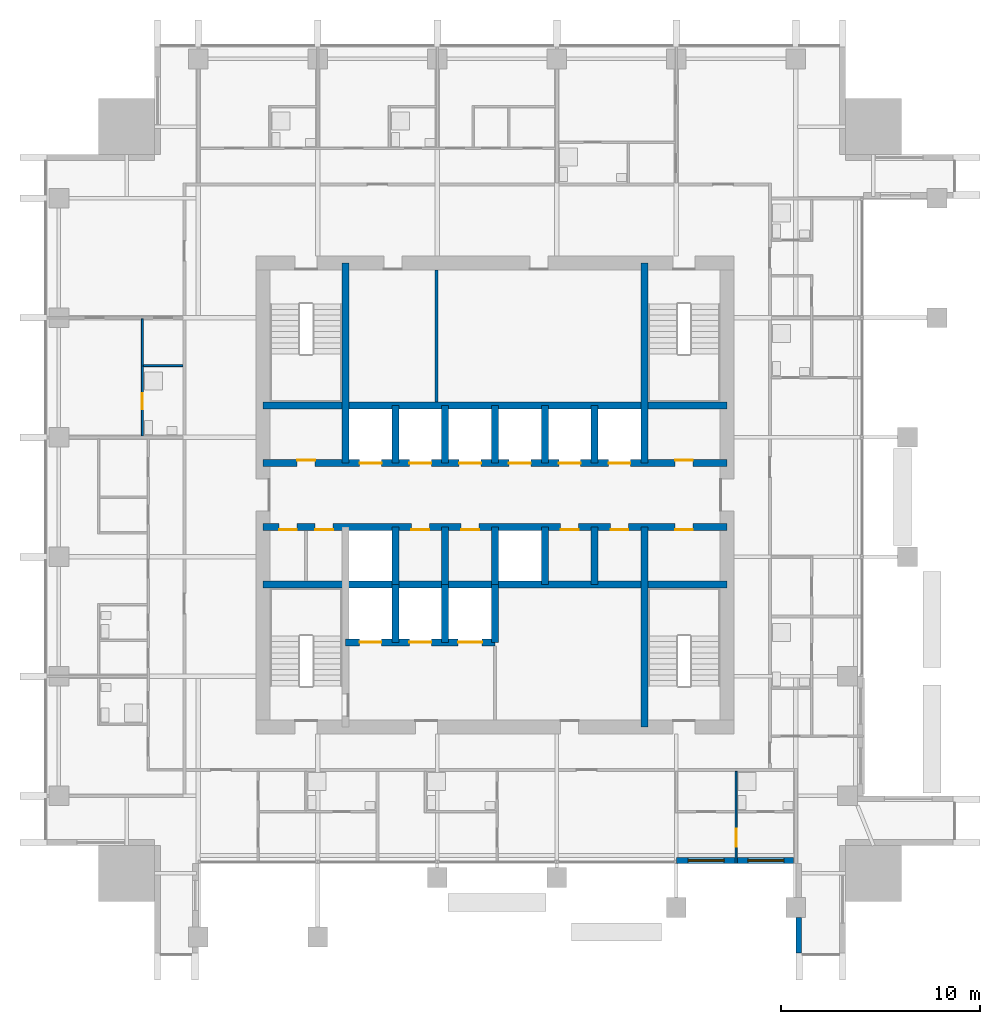
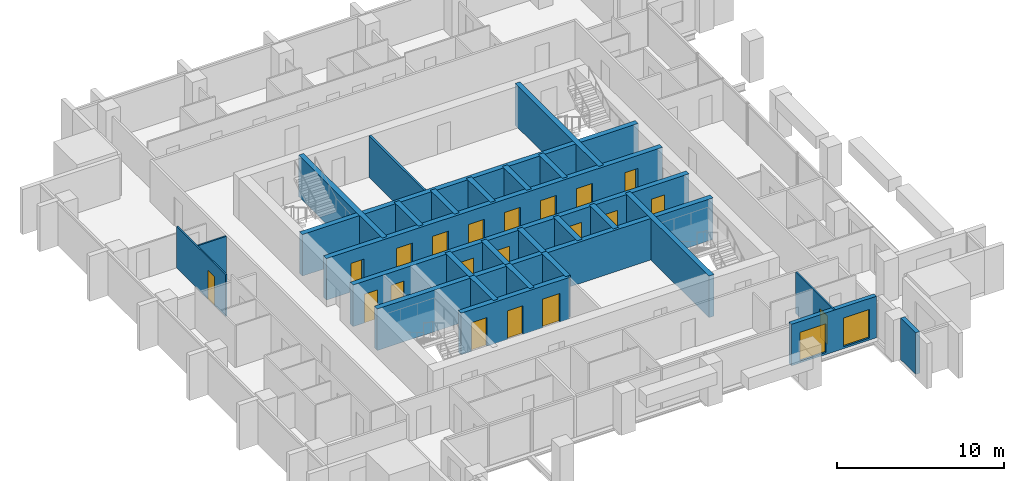
# One storey, part 9 of 14: 27 walls, 20 doors, 2 windows, 22 openings.
"""IFC4 building model written with IfcOpenShell, lengths in metres."""

import ifcopenshell
import ifcopenshell.guid

model = None  # the IFC model being written
_history = None  # IfcOwnerHistory: only IFC2X3 demands one
_inside = {}  # id of a spatial element -> (the spatial element, [elements in it])
_under = {}  # id of a project, library or spatial element -> (it, [spatial elements below it])
_declared = {}  # id of a project -> (the project, [libraries it declares])
_typed = {}  # id of a type object -> (the type object, [elements of that type])
_made_of = {}  # id of a material, layer set ... -> (it, [elements and type objects made of it])


def new_model(schema):
    """Start an empty IFC model of exactly this schema.

    Asked for "IFC4X3", IfcOpenShell would pick the latest addendum, in which some entities
    have other attributes; the version numbers below select the first issue.
    IFC2X3 requires an IfcOwnerHistory on every rooted entity: one is made here for all.
    """
    global model, _history
    if schema == "IFC4X3":
        model = ifcopenshell.file(schema_version=(4, 3, 0, 0))
    else:
        model = ifcopenshell.file(schema=schema)
    _inside.clear()
    _under.clear()
    _declared.clear()
    _typed.clear()
    _made_of.clear()
    _history = None
    if model.schema == "IFC2X3":
        org = make("IfcOrganization", Name="unknown")
        user = make(
            "IfcPersonAndOrganization",
            ThePerson=make("IfcPerson", FamilyName="unknown"),
            TheOrganization=org,
        )
        app = make(
            "IfcApplication",
            ApplicationDeveloper=org,
            Version="unknown",
            ApplicationFullName="unknown",
            ApplicationIdentifier="unknown",
        )
        _history = make(
            "IfcOwnerHistory",
            OwningUser=user,
            OwningApplication=app,
            ChangeAction="ADDED",
            CreationDate=0,
        )
    return model


def make(cls, **values):
    """One entity of the class cls with the attributes given. An attribute that is None is left unset."""
    return model.create_entity(
        cls, **{name: value for name, value in values.items() if value is not None}
    )


def rooted(cls, **values):
    """An entity with a GlobalId (a new one), such as an element, a storey or a relation."""
    return make(cls, GlobalId=ifcopenshell.guid.new(), OwnerHistory=_history, **values)


def si_unit(unit_type, name, prefix=None):
    """IfcSIUnit, for example si_unit("LENGTHUNIT", "METRE", prefix="MILLI")."""
    return make("IfcSIUnit", UnitType=unit_type, Prefix=prefix, Name=name)


def assignment(units):
    """IfcUnitAssignment: the units of a project."""
    return None if units is None else make("IfcUnitAssignment", Units=units)


def point(xyz):
    """IfcCartesianPoint."""
    return None if xyz is None else make("IfcCartesianPoint", Coordinates=xyz)


def direction(xyz):
    """IfcDirection."""
    return None if xyz is None else make("IfcDirection", DirectionRatios=xyz)


def frame(location, z_axis=None, x_axis=None):
    """IfcAxis2Placement3D, a coordinate frame: its origin and axes. An axis left out is left unset."""
    return make(
        "IfcAxis2Placement3D",
        Location=point(location),
        Axis=direction(z_axis),
        RefDirection=direction(x_axis),
    )


def frame_2d(location, x_axis=None):
    """IfcAxis2Placement2D, a coordinate frame in the plane: its origin and x axis."""
    return make(
        "IfcAxis2Placement2D", Location=point(location), RefDirection=direction(x_axis)
    )


def origin():
    """The frame at (0, 0, 0) with its axes left unset."""
    return frame((0.0, 0.0, 0.0))


def place(relative_to, where):
    """IfcLocalPlacement: puts the frame where relative to a parent placement (None: the world)."""
    return make(
        "IfcLocalPlacement", PlacementRelTo=relative_to, RelativePlacement=where
    )


def context(
    kind, dimensions, precision=None, world=None, true_north=None, identifier=None
):
    """IfcGeometricRepresentationContext, for example the 3D "Model" context."""
    return make(
        "IfcGeometricRepresentationContext",
        ContextIdentifier=identifier,
        ContextType=kind,
        CoordinateSpaceDimension=dimensions,
        Precision=precision,
        WorldCoordinateSystem=world,
        TrueNorth=true_north,
    )


def subcontext(parent, identifier, kind, view, scale=None):
    """IfcGeometricRepresentationSubContext, for example "Body" below "Model"."""
    return make(
        "IfcGeometricRepresentationSubContext",
        ContextIdentifier=identifier,
        ContextType=kind,
        ParentContext=parent,
        TargetScale=scale,
        TargetView=view,
    )


def project(units=None, contexts=None):
    """IfcProject with its units and contexts."""
    return rooted(
        "IfcProject",
        Name="project",
        RepresentationContexts=contexts,
        UnitsInContext=assignment(units),
    )


def spatial(cls, under=None, at=None, **own):
    """A site, building, storey or space (cls), placed at a placement, below another one or the project."""
    s = rooted(cls, ObjectPlacement=at, **own)
    if under is not None:
        _under.setdefault(under.id(), (under, []))[1].append(s)
    return s


def profile(cls, at=None, kind="AREA", **sizes):
    """A parametric profile (cls). Its sizes go by their IFC names, for example OverallWidth=200.0."""
    return make(cls, ProfileType=kind, Position=at, **sizes)


def rectangle(**sizes):
    """IfcRectangleProfileDef."""
    return profile("IfcRectangleProfileDef", **sizes)


def extrude(swept, where, along, depth):
    """IfcExtrudedAreaSolid: the profile swept, set in the frame where, extruded along a direction by depth."""
    return make(
        "IfcExtrudedAreaSolid",
        SweptArea=swept,
        Position=where,
        ExtrudedDirection=direction(along),
        Depth=depth,
    )


def shape(context_of_items, identifier, shape_type, items):
    """IfcShapeRepresentation: the items that make up one representation, for example the "Body"."""
    return make(
        "IfcShapeRepresentation",
        ContextOfItems=context_of_items,
        RepresentationIdentifier=identifier,
        RepresentationType=shape_type,
        Items=items,
    )


def material(Name=None, Category=None):
    """IfcMaterial."""
    return make("IfcMaterial", Name=Name, Category=Category)


def layer(
    of_material, thickness, ventilated=None, Name=None, Category=None, Priority=None
):
    """IfcMaterialLayer: one layer of a wall or slab, of a material (None: an air gap)."""
    return make(
        "IfcMaterialLayer",
        Material=of_material,
        LayerThickness=thickness,
        IsVentilated=ventilated,
        Name=Name,
        Category=Category,
        Priority=Priority,
    )


def layer_set(layers, Name=None):
    """IfcMaterialLayerSet."""
    return make("IfcMaterialLayerSet", MaterialLayers=layers, LayerSetName=Name)


def made_of(thing, what):
    """Note that an element or type object is made of a material, layer set ...; save() writes the relation."""
    if what is not None:
        _made_of.setdefault(what.id(), (what, []))[1].append(thing)
    return thing


def type_object(cls, material=None, **own):
    """A type object (cls), such as IfcWallType, which elements share."""
    return made_of(rooted(cls, **own), material)


def element(
    cls,
    number,
    at=None,
    inside=None,
    cuts=None,
    type_object=None,
    material=None,
    context=None,
    identifier="Body",
    shape_type=None,
    held_by="IfcProductDefinitionShape",
    body=None,
    shapes=None,
    **own,
):
    """One element of the class cls, such as IfcWall. Its Tag is "e" and its number.

    at: its placement. inside: the storey or other place that contains it. cuts: it is an
    opening in that element (IfcRelVoidsElement). A single representation is given by context,
    identifier, shape_type and body (its items); several are given by shapes. held_by: the class
    of the entity that holds the representations. save() writes the other relations.
    """
    e = rooted(cls, Tag="e%d" % number, ObjectPlacement=at, **own)
    if body is not None:
        shapes = [shape(context, identifier, shape_type, body)]
    if shapes is not None:
        e.Representation = make(held_by, Representations=shapes)
    if inside is not None:
        _inside.setdefault(inside.id(), (inside, []))[1].append(e)
    if cuts is not None:
        rooted(
            "IfcRelVoidsElement", RelatingBuildingElement=cuts, RelatedOpeningElement=e
        )
    if type_object is not None:
        _typed.setdefault(type_object.id(), (type_object, []))[1].append(e)
    return made_of(e, material)


def fill(opening, filler):
    """IfcRelFillsElement: the door or window that sits in an opening."""
    return rooted(
        "IfcRelFillsElement",
        RelatingOpeningElement=opening,
        RelatedBuildingElement=filler,
    )


def aggregate(whole, parts):
    """IfcRelAggregates: a whole, such as a stair, and the parts it consists of."""
    return rooted("IfcRelAggregates", RelatingObject=whole, RelatedObjects=parts)


def save(model, path):
    """Write the relations noted so far, then the file.

    IfcRelAggregates (storeys below a building ...), IfcRelContainedInSpatialStructure (elements
    in a storey), IfcRelDefinesByType, IfcRelAssociatesMaterial and IfcRelDeclares: one each for
    every whole, place, type object, material and project.
    """
    for whole, parts in _under.values():
        aggregate(whole, parts)
    for where, things in _inside.values():
        rooted(
            "IfcRelContainedInSpatialStructure",
            RelatedElements=things,
            RelatingStructure=where,
        )
    for kind, things in _typed.values():
        rooted("IfcRelDefinesByType", RelatedObjects=things, RelatingType=kind)
    for what, things in _made_of.values():
        rooted("IfcRelAssociatesMaterial", RelatedObjects=things, RelatingMaterial=what)
    for by, libraries in _declared.values():
        rooted("IfcRelDeclares", RelatingContext=by, RelatedDefinitions=libraries)
    model.write(path)


model = new_model("IFC4")

# Units and contexts
model_context = context("Model", 3, precision=1e-05, world=origin(), true_north=direction((0.0, 1.0)))
body_context = subcontext(model_context, "Body", "Model", "MODEL_VIEW")
ifc_project = project(units=[si_unit("LENGTHUNIT", "METRE"), si_unit("AREAUNIT", "SQUARE_METRE"), si_unit("VOLUMEUNIT", "CUBIC_METRE"), si_unit("PLANEANGLEUNIT", "RADIAN"), si_unit("MASSUNIT", "GRAM", prefix="KILO")], contexts=[model_context])

# Site, building, storey
site_placement = place(None, origin())
site = spatial("IfcSite", under=ifc_project, at=site_placement, CompositionType="ELEMENT")
building_placement = place(site_placement, origin())
building = spatial("IfcBuilding", under=site, at=building_placement, Name="Amberfall Residences", CompositionType="ELEMENT")
storey_placement = place(building_placement, frame((0.0, 0.0, 168.10009765625)))
storey = spatial("IfcBuildingStorey", under=building, at=storey_placement, Name="L45", CompositionType="ELEMENT", Elevation=168.10009765625)

# Wall
ifc_material_1 = material(Name="Pale stone cladding on insulated backing", Category="masonry")
ifc_layer_1 = layer(ifc_material_1, 0.300048828125)
ifc_layer_set_1 = layer_set([ifc_layer_1], Name="Bronze clad wall 300")
wall_type_1 = type_object("IfcWallType", Name="Bronze clad wall 300", PredefinedType="SOLIDWALL", material=ifc_layer_set_1)
wall_1_placement = place(storey_placement, frame((89.75, 24.300048828125, 0.0), z_axis=(0.0, 0.0, 1.0), x_axis=(0.0, -1.0, 0.0)))
element("IfcWall", 1, at=wall_1_placement, inside=storey, type_object=wall_type_1, Name="External wall L45 S", PredefinedType="SOLIDWALL", context=body_context, shape_type="SweptSolid", body=[
    extrude(rectangle(XDim=1.800048828125, YDim=0.300048828125, at=frame_2d((0.89990234375, 0.0))), origin(), (0.0, 0.0, 1.0), 3.0498046875),
])

# Wall, openings, windows
wall_2_placement = place(storey_placement, frame((83.60009765625, 27.14990234375, 0.0), z_axis=(0.0, 0.0, 1.0), x_axis=(1.0, 0.0, 0.0)))
wall_2 = element("IfcWall", 2, at=wall_2_placement, inside=storey, type_object=wall_type_1, Name="Stone wall L45 S", PredefinedType="SOLIDWALL", context=body_context, shape_type="SweptSolid", body=[
    extrude(rectangle(XDim=5.889892578125, YDim=0.300048828125, at=frame_2d((2.94482421875, 0.0))), origin(), (0.0, 0.0, 1.0), 3.0498046875),
])
opening_1_placement = place(wall_2_placement, frame((0.60009765625, 0.0, 0.14990234375)))
opening_1 = element("IfcOpeningElement", 3, at=opening_1_placement, cuts=wall_2, Name="Opening WN6", PredefinedType="OPENING", context=body_context, shape_type="SweptSolid", body=[
    extrude(rectangle(XDim=1.800048828125, YDim=2.10009765625, at=frame_2d((0.89990234375, 1.050048828125))), frame((0.0, 0.159912109375, 0.0), z_axis=(0.0, -1.0, 0.0), x_axis=(1.0, 0.0, 0.0)), (0.0, 0.0, 1.0), 0.320068359375),
])
opening_2_placement = place(wall_2_placement, frame((3.60009765625, 0.0, 0.14990234375)))
opening_2 = element("IfcOpeningElement", 4, at=opening_2_placement, cuts=wall_2, Name="Opening WN6", PredefinedType="OPENING", context=body_context, shape_type="SweptSolid", body=[
    extrude(rectangle(XDim=1.800048828125, YDim=2.10009765625, at=frame_2d((0.89990234375, 1.050048828125))), frame((0.0, 0.159912109375, 0.0), z_axis=(0.0, -1.0, 0.0), x_axis=(1.0, 0.0, 0.0)), (0.0, 0.0, 1.0), 0.320068359375),
])
ifc_material_2 = material(Name="Bronze aluminium framed glazing", Category="aluminium")
window_type = type_object("IfcWindowType", Name="Glazed opening 1800 x 2100 bronze", PartitioningType="DOUBLE_PANEL_VERTICAL", PredefinedType="WINDOW", material=ifc_material_2)
window_1_placement = place(opening_1_placement, origin())
window_1 = element("IfcWindow", 5, at=window_1_placement, inside=storey, type_object=window_type, Name="Window L45 S", OverallHeight=2.10009765625, OverallWidth=1.800048828125, PartitioningType="DOUBLE_PANEL_VERTICAL", PredefinedType="WINDOW", context=body_context, shape_type="SweptSolid", body=[
    extrude(rectangle(XDim=1.800048828125, YDim=2.10009765625, at=frame_2d((0.89990234375, 1.050048828125))), frame((0.0, 0.030029296875, 0.0), z_axis=(0.0, -1.0, 0.0), x_axis=(1.0, 0.0, 0.0)), (0.0, 0.0, 1.0), 0.06005859375),
])
fill(opening_1, window_1)
window_2_placement = place(opening_2_placement, origin())
window_2 = element("IfcWindow", 6, at=window_2_placement, inside=storey, type_object=window_type, Name="Window L45 S", OverallHeight=2.10009765625, OverallWidth=1.800048828125, PartitioningType="DOUBLE_PANEL_VERTICAL", PredefinedType="WINDOW", context=body_context, shape_type="SweptSolid", body=[
    extrude(rectangle(XDim=1.800048828125, YDim=2.10009765625, at=frame_2d((0.89990234375, 1.050048828125))), frame((0.0, 0.030029296875, 0.0), z_axis=(0.0, -1.0, 0.0), x_axis=(1.0, 0.0, 0.0)), (0.0, 0.0, 1.0), 0.06005859375),
])
fill(opening_2, window_2)

# Wall
ifc_material_3 = material(Name="Concrete C60", Category="concrete")
ifc_layer_2 = layer(ifc_material_3, 0.35009765625)
ifc_layer_set_2 = layer_set([ifc_layer_2], Name="Core wall 350 C60")
wall_type_2 = type_object("IfcWallType", Name="Core wall 350 C60", PredefinedType="SHEAR", material=ifc_layer_set_2)
wall_3_placement = place(storey_placement, frame((62.85009765625, 41.0, 0.0), z_axis=(0.0, 0.0, 1.0), x_axis=(1.0, 0.0, 0.0)))
element("IfcWall", 7, at=wall_3_placement, inside=storey, type_object=wall_type_2, Name="Core wall RW6 L45 H75", PredefinedType="SHEAR", context=body_context, shape_type="SweptSolid", body=[
    extrude(rectangle(XDim=23.2998046875, YDim=0.35009765625, at=frame_2d((11.64990234375, 0.0))), origin(), (0.0, 0.0, 1.0), 3.0498046875),
])

# Wall, openings, doors
wall_4_placement = place(storey_placement, frame((62.85009765625, 43.89990234375, 0.0), z_axis=(0.0, 0.0, 1.0), x_axis=(1.0, 0.0, 0.0)))
wall_4 = element("IfcWall", 8, at=wall_4_placement, inside=storey, type_object=wall_type_2, Name="Core wall RW6 L45 H104", PredefinedType="SHEAR", context=body_context, shape_type="SweptSolid", body=[
    extrude(rectangle(XDim=23.2998046875, YDim=0.35009765625, at=frame_2d((11.64990234375, 0.0))), origin(), (0.0, 0.0, 1.0), 3.0498046875),
])
opening_3_placement = place(wall_4_placement, frame((0.806396484375, 0.0, 0.0)))
opening_3 = element("IfcOpeningElement", 9, at=opening_3_placement, cuts=wall_4, Name="Opening RD1", PredefinedType="OPENING", context=body_context, shape_type="SweptSolid", body=[
    extrude(rectangle(XDim=0.89990234375, YDim=2.10009765625, at=frame_2d((0.449951171875, 1.050048828125))), frame((0.0, 0.18505859375, 0.0), z_axis=(0.0, -1.0, 0.0), x_axis=(1.0, 0.0, 0.0)), (0.0, 0.0, 1.0), 0.3701171875),
])
opening_4_placement = place(wall_4_placement, frame((2.618896484375, 0.0, 0.0)))
opening_4 = element("IfcOpeningElement", 10, at=opening_4_placement, cuts=wall_4, Name="Opening RD1", PredefinedType="OPENING", context=body_context, shape_type="SweptSolid", body=[
    extrude(rectangle(XDim=0.89990234375, YDim=2.10009765625, at=frame_2d((0.449951171875, 1.050048828125))), frame((0.0, 0.18505859375, 0.0), z_axis=(0.0, -1.0, 0.0), x_axis=(1.0, 0.0, 0.0)), (0.0, 0.0, 1.0), 0.3701171875),
])
opening_5_placement = place(wall_4_placement, frame((20.6875, 0.0, 0.0)))
opening_5 = element("IfcOpeningElement", 11, at=opening_5_placement, cuts=wall_4, Name="Opening RD1", PredefinedType="OPENING", context=body_context, shape_type="SweptSolid", body=[
    extrude(rectangle(XDim=0.89990234375, YDim=2.10009765625, at=frame_2d((0.449951171875, 1.050048828125))), frame((0.0, 0.18505859375, 0.0), z_axis=(0.0, -1.0, 0.0), x_axis=(1.0, 0.0, 0.0)), (0.0, 0.0, 1.0), 0.3701171875),
])
opening_6_placement = place(wall_4_placement, frame((7.449951171875, 0.0, 0.0)))
opening_6 = element("IfcOpeningElement", 12, at=opening_6_placement, cuts=wall_4, Name="Opening RD1", PredefinedType="OPENING", context=body_context, shape_type="SweptSolid", body=[
    extrude(rectangle(XDim=0.89990234375, YDim=2.10009765625, at=frame_2d((0.449951171875, 1.050048828125))), frame((0.0, 0.18505859375, 0.0), z_axis=(0.0, -1.0, 0.0), x_axis=(1.0, 0.0, 0.0)), (0.0, 0.0, 1.0), 0.3701171875),
])
opening_7_placement = place(wall_4_placement, frame((9.949951171875, 0.0, 0.0)))
opening_7 = element("IfcOpeningElement", 13, at=opening_7_placement, cuts=wall_4, Name="Opening RD1", PredefinedType="OPENING", context=body_context, shape_type="SweptSolid", body=[
    extrude(rectangle(XDim=0.89990234375, YDim=2.10009765625, at=frame_2d((0.449951171875, 1.050048828125))), frame((0.0, 0.18505859375, 0.0), z_axis=(0.0, -1.0, 0.0), x_axis=(1.0, 0.0, 0.0)), (0.0, 0.0, 1.0), 0.3701171875),
])
opening_8_placement = place(wall_4_placement, frame((14.949951171875, 0.0, 0.0)))
opening_8 = element("IfcOpeningElement", 14, at=opening_8_placement, cuts=wall_4, Name="Opening RD1", PredefinedType="OPENING", context=body_context, shape_type="SweptSolid", body=[
    extrude(rectangle(XDim=0.89990234375, YDim=2.10009765625, at=frame_2d((0.449951171875, 1.050048828125))), frame((0.0, 0.18505859375, 0.0), z_axis=(0.0, -1.0, 0.0), x_axis=(1.0, 0.0, 0.0)), (0.0, 0.0, 1.0), 0.3701171875),
])
opening_9_placement = place(wall_4_placement, frame((17.449951171875, 0.0, 0.0)))
opening_9 = element("IfcOpeningElement", 15, at=opening_9_placement, cuts=wall_4, Name="Opening RD1", PredefinedType="OPENING", context=body_context, shape_type="SweptSolid", body=[
    extrude(rectangle(XDim=0.89990234375, YDim=2.10009765625, at=frame_2d((0.449951171875, 1.050048828125))), frame((0.0, 0.18505859375, 0.0), z_axis=(0.0, -1.0, 0.0), x_axis=(1.0, 0.0, 0.0)), (0.0, 0.0, 1.0), 0.3701171875),
])
ifc_material_4 = material(Name="Steel fire door set", Category="steel")
door_type_1 = type_object("IfcDoorType", Name="Service room door 900 x 2100", OperationType="SINGLE_SWING_LEFT", PredefinedType="DOOR", material=ifc_material_4)
door_1_placement = place(opening_3_placement, origin())
door_1 = element("IfcDoor", 16, at=door_1_placement, inside=storey, type_object=door_type_1, Name="RD1 L45", OperationType="SINGLE_SWING_LEFT", OverallHeight=2.10009765625, OverallWidth=0.89990234375, PredefinedType="DOOR", context=body_context, shape_type="SweptSolid", body=[
    extrude(rectangle(XDim=0.89990234375, YDim=2.10009765625, at=frame_2d((0.449951171875, 1.050048828125))), frame((0.0, -0.1123046875, 0.0), z_axis=(0.0, -1.0, 0.0), x_axis=(1.0, 0.0, 0.0)), (0.0, 0.0, 1.0), 0.050048828125),
])
fill(opening_3, door_1)
door_2_placement = place(opening_4_placement, origin())
door_2 = element("IfcDoor", 17, at=door_2_placement, inside=storey, type_object=door_type_1, Name="RD1 L45", OperationType="SINGLE_SWING_RIGHT", OverallHeight=2.10009765625, OverallWidth=0.89990234375, PredefinedType="DOOR", context=body_context, shape_type="SweptSolid", body=[
    extrude(rectangle(XDim=0.89990234375, YDim=2.10009765625, at=frame_2d((0.449951171875, 1.050048828125))), frame((0.0, -0.1123046875, 0.0), z_axis=(0.0, -1.0, 0.0), x_axis=(1.0, 0.0, 0.0)), (0.0, 0.0, 1.0), 0.050048828125),
])
fill(opening_4, door_2)
door_3_placement = place(opening_5_placement, origin())
door_3 = element("IfcDoor", 18, at=door_3_placement, inside=storey, type_object=door_type_1, Name="RD1 L45", OperationType="SINGLE_SWING_LEFT", OverallHeight=2.10009765625, OverallWidth=0.89990234375, PredefinedType="DOOR", context=body_context, shape_type="SweptSolid", body=[
    extrude(rectangle(XDim=0.89990234375, YDim=2.10009765625, at=frame_2d((0.449951171875, 1.050048828125))), frame((0.0, -0.1123046875, 0.0), z_axis=(0.0, -1.0, 0.0), x_axis=(1.0, 0.0, 0.0)), (0.0, 0.0, 1.0), 0.050048828125),
])
fill(opening_5, door_3)
door_4_placement = place(opening_6_placement, origin())
door_4 = element("IfcDoor", 19, at=door_4_placement, inside=storey, type_object=door_type_1, Name="RD1 L45", OperationType="SINGLE_SWING_LEFT", OverallHeight=2.10009765625, OverallWidth=0.89990234375, PredefinedType="DOOR", context=body_context, shape_type="SweptSolid", body=[
    extrude(rectangle(XDim=0.89990234375, YDim=2.10009765625, at=frame_2d((0.449951171875, 1.050048828125))), frame((0.0, -0.1123046875, 0.0), z_axis=(0.0, -1.0, 0.0), x_axis=(1.0, 0.0, 0.0)), (0.0, 0.0, 1.0), 0.050048828125),
])
fill(opening_6, door_4)
door_5_placement = place(opening_7_placement, origin())
door_5 = element("IfcDoor", 20, at=door_5_placement, inside=storey, type_object=door_type_1, Name="RD1 L45", OperationType="SINGLE_SWING_RIGHT", OverallHeight=2.10009765625, OverallWidth=0.89990234375, PredefinedType="DOOR", context=body_context, shape_type="SweptSolid", body=[
    extrude(rectangle(XDim=0.89990234375, YDim=2.10009765625, at=frame_2d((0.449951171875, 1.050048828125))), frame((0.0, -0.1123046875, 0.0), z_axis=(0.0, -1.0, 0.0), x_axis=(1.0, 0.0, 0.0)), (0.0, 0.0, 1.0), 0.050048828125),
])
fill(opening_7, door_5)
door_6_placement = place(opening_8_placement, origin())
door_6 = element("IfcDoor", 21, at=door_6_placement, inside=storey, type_object=door_type_1, Name="RD1 L45", OperationType="SINGLE_SWING_RIGHT", OverallHeight=2.10009765625, OverallWidth=0.89990234375, PredefinedType="DOOR", context=body_context, shape_type="SweptSolid", body=[
    extrude(rectangle(XDim=0.89990234375, YDim=2.10009765625, at=frame_2d((0.449951171875, 1.050048828125))), frame((0.0, -0.1123046875, 0.0), z_axis=(0.0, -1.0, 0.0), x_axis=(1.0, 0.0, 0.0)), (0.0, 0.0, 1.0), 0.050048828125),
])
fill(opening_8, door_6)
door_7_placement = place(opening_9_placement, origin())
door_7 = element("IfcDoor", 22, at=door_7_placement, inside=storey, type_object=door_type_1, Name="RD1 L45", OperationType="SINGLE_SWING_LEFT", OverallHeight=2.10009765625, OverallWidth=0.89990234375, PredefinedType="DOOR", context=body_context, shape_type="SweptSolid", body=[
    extrude(rectangle(XDim=0.89990234375, YDim=2.10009765625, at=frame_2d((0.449951171875, 1.050048828125))), frame((0.0, -0.1123046875, 0.0), z_axis=(0.0, -1.0, 0.0), x_axis=(1.0, 0.0, 0.0)), (0.0, 0.0, 1.0), 0.050048828125),
])
fill(opening_9, door_7)

wall_5_placement = place(storey_placement, frame((62.85009765625, 47.10009765625, 0.0), z_axis=(0.0, 0.0, 1.0), x_axis=(1.0, 0.0, 0.0)))
wall_5 = element("IfcWall", 23, at=wall_5_placement, inside=storey, type_object=wall_type_2, Name="Core wall RW6 L45 H136", PredefinedType="SHEAR", context=body_context, shape_type="SweptSolid", body=[
    extrude(rectangle(XDim=23.2998046875, YDim=0.35009765625, at=frame_2d((11.64990234375, 0.0))), origin(), (0.0, 0.0, 1.0), 3.0498046875),
])
opening_10_placement = place(wall_5_placement, frame((1.71240234375, 0.0, 0.0)))
opening_10 = element("IfcOpeningElement", 24, at=opening_10_placement, cuts=wall_5, Name="Opening RD1", PredefinedType="OPENING", context=body_context, shape_type="SweptSolid", body=[
    extrude(rectangle(XDim=0.89990234375, YDim=2.10009765625, at=frame_2d((0.449951171875, 1.050048828125))), frame((0.0, 0.18505859375, 0.0), z_axis=(0.0, -1.0, 0.0), x_axis=(1.0, 0.0, 0.0)), (0.0, 0.0, 1.0), 0.3701171875),
])
opening_11_placement = place(wall_5_placement, frame((20.6875, 0.0, 0.0)))
opening_11 = element("IfcOpeningElement", 25, at=opening_11_placement, cuts=wall_5, Name="Opening RD1", PredefinedType="OPENING", context=body_context, shape_type="SweptSolid", body=[
    extrude(rectangle(XDim=0.89990234375, YDim=2.10009765625, at=frame_2d((0.449951171875, 1.050048828125))), frame((0.0, 0.18505859375, 0.0), z_axis=(0.0, -1.0, 0.0), x_axis=(1.0, 0.0, 0.0)), (0.0, 0.0, 1.0), 0.3701171875),
])
opening_12_placement = place(wall_5_placement, frame((4.85009765625, 0.0, 0.0)))
opening_12 = element("IfcOpeningElement", 26, at=opening_12_placement, cuts=wall_5, Name="Opening LD1", PredefinedType="OPENING", context=body_context, shape_type="SweptSolid", body=[
    extrude(rectangle(XDim=1.10009765625, YDim=2.10009765625, at=frame_2d((0.550048828125, 1.050048828125))), frame((0.0, 0.18505859375, 0.0), z_axis=(0.0, -1.0, 0.0), x_axis=(1.0, 0.0, 0.0)), (0.0, 0.0, 1.0), 0.3701171875),
])
opening_13_placement = place(wall_5_placement, frame((7.35009765625, 0.0, 0.0)))
opening_13 = element("IfcOpeningElement", 27, at=opening_13_placement, cuts=wall_5, Name="Opening LD1", PredefinedType="OPENING", context=body_context, shape_type="SweptSolid", body=[
    extrude(rectangle(XDim=1.10009765625, YDim=2.10009765625, at=frame_2d((0.550048828125, 1.050048828125))), frame((0.0, 0.18505859375, 0.0), z_axis=(0.0, -1.0, 0.0), x_axis=(1.0, 0.0, 0.0)), (0.0, 0.0, 1.0), 0.3701171875),
])
opening_14_placement = place(wall_5_placement, frame((9.85009765625, 0.0, 0.0)))
opening_14 = element("IfcOpeningElement", 28, at=opening_14_placement, cuts=wall_5, Name="Opening LD1", PredefinedType="OPENING", context=body_context, shape_type="SweptSolid", body=[
    extrude(rectangle(XDim=1.10009765625, YDim=2.10009765625, at=frame_2d((0.550048828125, 1.050048828125))), frame((0.0, 0.18505859375, 0.0), z_axis=(0.0, -1.0, 0.0), x_axis=(1.0, 0.0, 0.0)), (0.0, 0.0, 1.0), 0.3701171875),
])
opening_15_placement = place(wall_5_placement, frame((12.35009765625, 0.0, 0.0)))
opening_15 = element("IfcOpeningElement", 29, at=opening_15_placement, cuts=wall_5, Name="Opening LD1", PredefinedType="OPENING", context=body_context, shape_type="SweptSolid", body=[
    extrude(rectangle(XDim=1.10009765625, YDim=2.10009765625, at=frame_2d((0.550048828125, 1.050048828125))), frame((0.0, 0.18505859375, 0.0), z_axis=(0.0, -1.0, 0.0), x_axis=(1.0, 0.0, 0.0)), (0.0, 0.0, 1.0), 0.3701171875),
])
opening_16_placement = place(wall_5_placement, frame((14.85009765625, 0.0, 0.0)))
opening_16 = element("IfcOpeningElement", 30, at=opening_16_placement, cuts=wall_5, Name="Opening LD1", PredefinedType="OPENING", context=body_context, shape_type="SweptSolid", body=[
    extrude(rectangle(XDim=1.10009765625, YDim=2.10009765625, at=frame_2d((0.550048828125, 1.050048828125))), frame((0.0, 0.18505859375, 0.0), z_axis=(0.0, -1.0, 0.0), x_axis=(1.0, 0.0, 0.0)), (0.0, 0.0, 1.0), 0.3701171875),
])
opening_17_placement = place(wall_5_placement, frame((17.35009765625, 0.0, 0.0)))
opening_17 = element("IfcOpeningElement", 31, at=opening_17_placement, cuts=wall_5, Name="Opening LD1", PredefinedType="OPENING", context=body_context, shape_type="SweptSolid", body=[
    extrude(rectangle(XDim=1.10009765625, YDim=2.10009765625, at=frame_2d((0.550048828125, 1.050048828125))), frame((0.0, 0.18505859375, 0.0), z_axis=(0.0, -1.0, 0.0), x_axis=(1.0, 0.0, 0.0)), (0.0, 0.0, 1.0), 0.3701171875),
])
door_type_2 = type_object("IfcDoorType", Name="Lift landing door 1100 x 2100", OperationType="DOUBLE_DOOR_SLIDING", PredefinedType="DOOR", material=ifc_material_4)
door_8_placement = place(opening_12_placement, origin())
door_8 = element("IfcDoor", 32, at=door_8_placement, inside=storey, type_object=door_type_2, Name="Landing door HP1 L45", OperationType="DOUBLE_DOOR_SLIDING", OverallHeight=2.10009765625, OverallWidth=1.10009765625, PredefinedType="DOOR", context=body_context, shape_type="SweptSolid", body=[
    extrude(rectangle(XDim=1.10009765625, YDim=2.10009765625, at=frame_2d((0.550048828125, 1.050048828125))), frame((0.0, 0.02490234375, 0.0), z_axis=(0.0, -1.0, 0.0), x_axis=(1.0, 0.0, 0.0)), (0.0, 0.0, 1.0), 0.050048828125),
])
fill(opening_12, door_8)
door_9_placement = place(opening_13_placement, origin())
door_9 = element("IfcDoor", 33, at=door_9_placement, inside=storey, type_object=door_type_2, Name="Landing door HP2 L45", OperationType="DOUBLE_DOOR_SLIDING", OverallHeight=2.10009765625, OverallWidth=1.10009765625, PredefinedType="DOOR", context=body_context, shape_type="SweptSolid", body=[
    extrude(rectangle(XDim=1.10009765625, YDim=2.10009765625, at=frame_2d((0.550048828125, 1.050048828125))), frame((0.0, 0.02490234375, 0.0), z_axis=(0.0, -1.0, 0.0), x_axis=(1.0, 0.0, 0.0)), (0.0, 0.0, 1.0), 0.050048828125),
])
fill(opening_13, door_9)
door_10_placement = place(opening_14_placement, origin())
door_10 = element("IfcDoor", 34, at=door_10_placement, inside=storey, type_object=door_type_2, Name="Landing door HP3 L45", OperationType="DOUBLE_DOOR_SLIDING", OverallHeight=2.10009765625, OverallWidth=1.10009765625, PredefinedType="DOOR", context=body_context, shape_type="SweptSolid", body=[
    extrude(rectangle(XDim=1.10009765625, YDim=2.10009765625, at=frame_2d((0.550048828125, 1.050048828125))), frame((0.0, 0.02490234375, 0.0), z_axis=(0.0, -1.0, 0.0), x_axis=(1.0, 0.0, 0.0)), (0.0, 0.0, 1.0), 0.050048828125),
])
fill(opening_14, door_10)
door_11_placement = place(opening_15_placement, origin())
door_11 = element("IfcDoor", 35, at=door_11_placement, inside=storey, type_object=door_type_2, Name="Landing door HP4 L45", OperationType="DOUBLE_DOOR_SLIDING", OverallHeight=2.10009765625, OverallWidth=1.10009765625, PredefinedType="DOOR", context=body_context, shape_type="SweptSolid", body=[
    extrude(rectangle(XDim=1.10009765625, YDim=2.10009765625, at=frame_2d((0.550048828125, 1.050048828125))), frame((0.0, 0.02490234375, 0.0), z_axis=(0.0, -1.0, 0.0), x_axis=(1.0, 0.0, 0.0)), (0.0, 0.0, 1.0), 0.050048828125),
])
fill(opening_15, door_11)
door_12_placement = place(opening_16_placement, origin())
door_12 = element("IfcDoor", 36, at=door_12_placement, inside=storey, type_object=door_type_2, Name="Landing door HP5 L45", OperationType="DOUBLE_DOOR_SLIDING", OverallHeight=2.10009765625, OverallWidth=1.10009765625, PredefinedType="DOOR", context=body_context, shape_type="SweptSolid", body=[
    extrude(rectangle(XDim=1.10009765625, YDim=2.10009765625, at=frame_2d((0.550048828125, 1.050048828125))), frame((0.0, 0.02490234375, 0.0), z_axis=(0.0, -1.0, 0.0), x_axis=(1.0, 0.0, 0.0)), (0.0, 0.0, 1.0), 0.050048828125),
])
fill(opening_16, door_12)
door_13_placement = place(opening_17_placement, origin())
door_13 = element("IfcDoor", 37, at=door_13_placement, inside=storey, type_object=door_type_2, Name="Landing door HP6 L45", OperationType="DOUBLE_DOOR_SLIDING", OverallHeight=2.10009765625, OverallWidth=1.10009765625, PredefinedType="DOOR", context=body_context, shape_type="SweptSolid", body=[
    extrude(rectangle(XDim=1.10009765625, YDim=2.10009765625, at=frame_2d((0.550048828125, 1.050048828125))), frame((0.0, 0.02490234375, 0.0), z_axis=(0.0, -1.0, 0.0), x_axis=(1.0, 0.0, 0.0)), (0.0, 0.0, 1.0), 0.050048828125),
])
fill(opening_17, door_13)
door_14_placement = place(opening_10_placement, origin())
door_14 = element("IfcDoor", 38, at=door_14_placement, inside=storey, type_object=door_type_1, Name="RD1 L45", OperationType="SINGLE_SWING_LEFT", OverallHeight=2.10009765625, OverallWidth=0.89990234375, PredefinedType="DOOR", context=body_context, shape_type="SweptSolid", body=[
    extrude(rectangle(XDim=0.89990234375, YDim=2.10009765625, at=frame_2d((0.449951171875, 1.050048828125))), frame((0.0, 0.16259765625, 0.0), z_axis=(0.0, -1.0, 0.0), x_axis=(1.0, 0.0, 0.0)), (0.0, 0.0, 1.0), 0.050048828125),
])
fill(opening_10, door_14)
door_15_placement = place(opening_11_placement, origin())
door_15 = element("IfcDoor", 39, at=door_15_placement, inside=storey, type_object=door_type_1, Name="RD1 L45", OperationType="SINGLE_SWING_LEFT", OverallHeight=2.10009765625, OverallWidth=0.89990234375, PredefinedType="DOOR", context=body_context, shape_type="SweptSolid", body=[
    extrude(rectangle(XDim=0.89990234375, YDim=2.10009765625, at=frame_2d((0.449951171875, 1.050048828125))), frame((0.0, 0.16259765625, 0.0), z_axis=(0.0, -1.0, 0.0), x_axis=(1.0, 0.0, 0.0)), (0.0, 0.0, 1.0), 0.050048828125),
])
fill(opening_11, door_15)

# Walls
wall_6_placement = place(storey_placement, frame((62.85009765625, 50.0, 0.0), z_axis=(0.0, 0.0, 1.0), x_axis=(1.0, 0.0, 0.0)))
element("IfcWall", 40, at=wall_6_placement, inside=storey, type_object=wall_type_2, Name="Core wall RW6 L45 H165", PredefinedType="SHEAR", context=body_context, shape_type="SweptSolid", body=[
    extrude(rectangle(XDim=23.2998046875, YDim=0.35009765625, at=frame_2d((11.64990234375, 0.0))), origin(), (0.0, 0.0, 1.0), 3.0498046875),
])
for number, where, z_axis, x_axis, name in (
    (41, (67.0, 47.10009765625, 0.0), (0.0, 0.0, 1.0), (0.0, 1.0, 0.0), "Core wall RW6 L45 V45N"),
    (42, (82.0, 33.85009765625, 0.0), (0.0, 0.0, 1.0), (0.0, 1.0, 0.0), "Core wall RW6 L45 V195S"),
    (43, (82.0, 47.10009765625, 0.0), (0.0, 0.0, 1.0), (0.0, 1.0, 0.0), "Core wall RW6 L45 V195N"),
):
    element("IfcWall", number, at=place(storey_placement, frame(where, z_axis=z_axis, x_axis=x_axis)), inside=storey, type_object=wall_type_2, Name=name, PredefinedType="SHEAR", context=body_context, shape_type="SweptSolid", body=[
        extrude(rectangle(XDim=10.0498046875, YDim=0.35009765625, at=frame_2d((5.02490234375, 0.0))), origin(), (0.0, 0.0, 1.0), 3.0498046875),
    ])
for number, where, z_axis, x_axis, name in (
    (44, (69.5, 41.0, 0.0), (0.0, 0.0, 1.0), (0.0, 1.0, 0.0), "Core wall RW6 L45 LPD1"),
    (45, (69.5, 47.10009765625, 0.0), (0.0, 0.0, 1.0), (0.0, 1.0, 0.0), "Core wall RW6 L45 HPD1"),
    (46, (72.0, 41.0, 0.0), (0.0, 0.0, 1.0), (0.0, 1.0, 0.0), "Core wall RW6 L45 LPD2"),
    (47, (72.0, 47.10009765625, 0.0), (0.0, 0.0, 1.0), (0.0, 1.0, 0.0), "Core wall RW6 L45 HPD2"),
    (48, (74.5, 41.0, 0.0), (0.0, 0.0, 1.0), (0.0, 1.0, 0.0), "Core wall RW6 L45 LPD3"),
    (49, (74.5, 47.10009765625, 0.0), (0.0, 0.0, 1.0), (0.0, 1.0, 0.0), "Core wall RW6 L45 HPD3"),
    (50, (77.0, 41.0, 0.0), (0.0, 0.0, 1.0), (0.0, 1.0, 0.0), "Core wall RW6 L45 LPD4"),
    (51, (77.0, 47.10009765625, 0.0), (0.0, 0.0, 1.0), (0.0, 1.0, 0.0), "Core wall RW6 L45 HPD4"),
    (52, (79.5, 41.0, 0.0), (0.0, 0.0, 1.0), (0.0, 1.0, 0.0), "Core wall RW6 L45 LPD5"),
    (53, (79.5, 47.10009765625, 0.0), (0.0, 0.0, 1.0), (0.0, 1.0, 0.0), "Core wall RW6 L45 HPD5"),
):
    element("IfcWall", number, at=place(storey_placement, frame(where, z_axis=z_axis, x_axis=x_axis)), inside=storey, type_object=wall_type_2, Name=name, PredefinedType="SHEAR", context=body_context, shape_type="SweptSolid", body=[
        extrude(rectangle(XDim=2.89990234375, YDim=0.35009765625, at=frame_2d((1.449951171875, 0.0))), origin(), (0.0, 0.0, 1.0), 3.0498046875),
    ])

# Wall, openings, doors
wall_7_placement = place(storey_placement, frame((67.0, 38.10009765625, 0.0), z_axis=(0.0, 0.0, 1.0), x_axis=(1.0, 0.0, 0.0)))
wall_7 = element("IfcWall", 54, at=wall_7_placement, inside=storey, type_object=wall_type_2, Name="Core wall RW6 L45 FFF", PredefinedType="SHEAR", context=body_context, shape_type="SweptSolid", body=[
    extrude(rectangle(XDim=7.5, YDim=0.35009765625, at=frame_2d((3.75, 0.0))), origin(), (0.0, 0.0, 1.0), 3.0498046875),
])
opening_18_placement = place(wall_7_placement, frame((0.699951171875, 0.0, 0.0)))
opening_18 = element("IfcOpeningElement", 55, at=opening_18_placement, cuts=wall_7, Name="Opening LD2", PredefinedType="OPENING", context=body_context, shape_type="SweptSolid", body=[
    extrude(rectangle(XDim=1.10009765625, YDim=2.10009765625, at=frame_2d((0.550048828125, 1.050048828125))), frame((0.0, 0.18505859375, 0.0), z_axis=(0.0, -1.0, 0.0), x_axis=(1.0, 0.0, 0.0)), (0.0, 0.0, 1.0), 0.3701171875),
])
opening_19_placement = place(wall_7_placement, frame((3.199951171875, 0.0, 0.0)))
opening_19 = element("IfcOpeningElement", 56, at=opening_19_placement, cuts=wall_7, Name="Opening LD2", PredefinedType="OPENING", context=body_context, shape_type="SweptSolid", body=[
    extrude(rectangle(XDim=1.10009765625, YDim=2.10009765625, at=frame_2d((0.550048828125, 1.050048828125))), frame((0.0, 0.18505859375, 0.0), z_axis=(0.0, -1.0, 0.0), x_axis=(1.0, 0.0, 0.0)), (0.0, 0.0, 1.0), 0.3701171875),
])
opening_20_placement = place(wall_7_placement, frame((5.64990234375, 0.0, 0.0)))
opening_20 = element("IfcOpeningElement", 57, at=opening_20_placement, cuts=wall_7, Name="Opening LD3", PredefinedType="OPENING", context=body_context, shape_type="SweptSolid", body=[
    extrude(rectangle(XDim=1.199951171875, YDim=2.10009765625, at=frame_2d((0.60009765625, 1.050048828125))), frame((0.0, 0.18505859375, 0.0), z_axis=(0.0, -1.0, 0.0), x_axis=(1.0, 0.0, 0.0)), (0.0, 0.0, 1.0), 0.3701171875),
])
door_type_3 = type_object("IfcDoorType", Name="Firefighting lift landing door 1100 x 2100", OperationType="DOUBLE_DOOR_SLIDING", PredefinedType="DOOR", material=ifc_material_4)
door_16_placement = place(opening_18_placement, origin())
door_16 = element("IfcDoor", 58, at=door_16_placement, inside=storey, type_object=door_type_3, Name="Landing door FF1 L45", OperationType="DOUBLE_DOOR_SLIDING", OverallHeight=2.10009765625, OverallWidth=1.10009765625, PredefinedType="DOOR", context=body_context, shape_type="SweptSolid", body=[
    extrude(rectangle(XDim=1.10009765625, YDim=2.10009765625, at=frame_2d((0.550048828125, 1.050048828125))), frame((0.0, 0.02490234375, 0.0), z_axis=(0.0, -1.0, 0.0), x_axis=(1.0, 0.0, 0.0)), (0.0, 0.0, 1.0), 0.050048828125),
])
fill(opening_18, door_16)
door_17_placement = place(opening_19_placement, origin())
door_17 = element("IfcDoor", 59, at=door_17_placement, inside=storey, type_object=door_type_3, Name="Landing door FF2 L45", OperationType="DOUBLE_DOOR_SLIDING", OverallHeight=2.10009765625, OverallWidth=1.10009765625, PredefinedType="DOOR", context=body_context, shape_type="SweptSolid", body=[
    extrude(rectangle(XDim=1.10009765625, YDim=2.10009765625, at=frame_2d((0.550048828125, 1.050048828125))), frame((0.0, 0.02490234375, 0.0), z_axis=(0.0, -1.0, 0.0), x_axis=(1.0, 0.0, 0.0)), (0.0, 0.0, 1.0), 0.050048828125),
])
fill(opening_19, door_17)
door_type_4 = type_object("IfcDoorType", Name="Service lift landing door 1200 x 2100", OperationType="DOUBLE_DOOR_SLIDING", PredefinedType="DOOR", material=ifc_material_4)
door_18_placement = place(opening_20_placement, origin())
door_18 = element("IfcDoor", 60, at=door_18_placement, inside=storey, type_object=door_type_4, Name="Landing door SL1 L45", OperationType="DOUBLE_DOOR_SLIDING", OverallHeight=2.10009765625, OverallWidth=1.199951171875, PredefinedType="DOOR", context=body_context, shape_type="SweptSolid", body=[
    extrude(rectangle(XDim=1.199951171875, YDim=2.10009765625, at=frame_2d((0.60009765625, 1.050048828125))), frame((0.0, 0.02490234375, 0.0), z_axis=(0.0, -1.0, 0.0), x_axis=(1.0, 0.0, 0.0)), (0.0, 0.0, 1.0), 0.050048828125),
])
fill(opening_20, door_18)

# Walls
for number, where, z_axis, x_axis, name in (
    (61, (69.5, 38.10009765625, 0.0), (0.0, 0.0, 1.0), (0.0, 1.0, 0.0), "Core wall RW6 L45 FFD1"),
    (62, (72.0, 38.10009765625, 0.0), (0.0, 0.0, 1.0), (0.0, 1.0, 0.0), "Core wall RW6 L45 FFD2"),
    (63, (74.5, 38.10009765625, 0.0), (0.0, 0.0, 1.0), (0.0, 1.0, 0.0), "Core wall RW6 L45 FFD3"),
):
    element("IfcWall", number, at=place(storey_placement, frame(where, z_axis=z_axis, x_axis=x_axis)), inside=storey, type_object=wall_type_2, Name=name, PredefinedType="SHEAR", context=body_context, shape_type="SweptSolid", body=[
        extrude(rectangle(XDim=2.89990234375, YDim=0.35009765625, at=frame_2d((1.449951171875, 0.0))), origin(), (0.0, 0.0, 1.0), 3.0498046875),
    ])

# Wall, opening, door
ifc_material_5 = material(Name="Gypsum board on metal stud")
ifc_layer_3 = layer(ifc_material_5, 0.10009765625)
ifc_layer_set_3 = layer_set([ifc_layer_3], Name="Flat partition 100")
wall_type_3 = type_object("IfcWallType", Name="Flat partition 100", PredefinedType="PARTITIONING", material=ifc_layer_set_3)
wall_8_placement = place(storey_placement, frame((56.800048828125, 54.35009765625, 0.0), z_axis=(0.0, 0.0, 1.0), x_axis=(0.0, -1.0, 0.0)))
wall_8 = element("IfcWall", 64, at=wall_8_placement, inside=storey, type_object=wall_type_3, Name="Partition 003", PredefinedType="PARTITIONING", context=body_context, shape_type="SweptSolid", body=[
    extrude(rectangle(XDim=5.875, YDim=0.10009765625, at=frame_2d((2.9375, 0.0))), origin(), (0.0, 0.0, 1.0), 3.0498046875),
])
opening_21_placement = place(wall_8_placement, frame((3.75, 0.0, 0.0)))
opening_21 = element("IfcOpeningElement", 65, at=opening_21_placement, cuts=wall_8, Name="Opening D42", PredefinedType="OPENING", context=body_context, shape_type="SweptSolid", body=[
    extrude(rectangle(XDim=0.800048828125, YDim=2.10009765625, at=frame_2d((0.39990234375, 1.050048828125))), frame((0.0, 0.06005859375, 0.0), z_axis=(0.0, -1.0, 0.0), x_axis=(1.0, 0.0, 0.0)), (0.0, 0.0, 1.0), 0.1201171875),
])
ifc_material_6 = material(Name="Timber", Category="wood")
door_type_5 = type_object("IfcDoorType", Name="Bathroom door 800 x 2100", OperationType="SINGLE_SWING_LEFT", PredefinedType="DOOR", material=ifc_material_6)
door_19_placement = place(opening_21_placement, origin())
door_19 = element("IfcDoor", 66, at=door_19_placement, inside=storey, type_object=door_type_5, Name="Door 4509 bath1", OperationType="SINGLE_SWING_LEFT", OverallHeight=2.10009765625, OverallWidth=0.800048828125, PredefinedType="DOOR", context=body_context, shape_type="SweptSolid", body=[
    extrude(rectangle(XDim=0.800048828125, YDim=2.10009765625, at=frame_2d((0.39990234375, 1.050048828125))), frame((0.0, 0.02490234375, 0.0), z_axis=(0.0, -1.0, 0.0), x_axis=(1.0, 0.0, 0.0)), (0.0, 0.0, 1.0), 0.050048828125),
])
fill(opening_21, door_19)

wall_9_placement = place(storey_placement, frame((86.60009765625, 31.625, 0.0), z_axis=(0.0, 0.0, 1.0), x_axis=(0.0, -1.0, 0.0)))
wall_9 = element("IfcWall", 67, at=wall_9_placement, inside=storey, type_object=wall_type_3, Name="Partition 018", PredefinedType="PARTITIONING", context=body_context, shape_type="SweptSolid", body=[
    extrude(rectangle(XDim=4.625, YDim=0.10009765625, at=frame_2d((2.3125, 0.0))), origin(), (0.0, 0.0, 1.0), 3.0498046875),
])
opening_22_placement = place(wall_9_placement, frame((2.875, 0.0, 0.0)))
opening_22 = element("IfcOpeningElement", 68, at=opening_22_placement, cuts=wall_9, Name="Opening D41", PredefinedType="OPENING", context=body_context, shape_type="SweptSolid", body=[
    extrude(rectangle(XDim=0.89990234375, YDim=2.10009765625, at=frame_2d((0.449951171875, 1.050048828125))), frame((0.0, 0.06005859375, 0.0), z_axis=(0.0, -1.0, 0.0), x_axis=(1.0, 0.0, 0.0)), (0.0, 0.0, 1.0), 0.1201171875),
])
door_type_6 = type_object("IfcDoorType", Name="Internal door 900 x 2100", OperationType="SINGLE_SWING_LEFT", PredefinedType="DOOR", material=ifc_material_6)
door_20_placement = place(opening_22_placement, origin())
door_20 = element("IfcDoor", 69, at=door_20_placement, inside=storey, type_object=door_type_6, Name="Door 4502 bedroom2", OperationType="SINGLE_SWING_LEFT", OverallHeight=2.10009765625, OverallWidth=0.89990234375, PredefinedType="DOOR", context=body_context, shape_type="SweptSolid", body=[
    extrude(rectangle(XDim=0.89990234375, YDim=2.10009765625, at=frame_2d((0.449951171875, 1.050048828125))), frame((0.0, 0.02490234375, 0.0), z_axis=(0.0, -1.0, 0.0), x_axis=(1.0, 0.0, 0.0)), (0.0, 0.0, 1.0), 0.050048828125),
])
fill(opening_22, door_20)

# Walls
wall_10_placement = place(storey_placement, frame((56.85009765625, 52.0, 0.0), z_axis=(0.0, 0.0, 1.0), x_axis=(1.0, 0.0, 0.0)))
element("IfcWall", 70, at=wall_10_placement, inside=storey, type_object=wall_type_3, Name="Partition 030", PredefinedType="PARTITIONING", context=body_context, shape_type="SweptSolid", body=[
    extrude(rectangle(XDim=1.974853515625, YDim=0.10009765625, at=frame_2d((0.9873046875, 0.0))), origin(), (0.0, 0.0, 1.0), 3.0498046875),
])
ifc_material_7 = material(Name="Concrete blockwork", Category="masonry")
ifc_layer_4 = layer(ifc_material_7, 0.14990234375)
ifc_layer_set_4 = layer_set([ifc_layer_4], Name="Riser wall 150")
wall_type_4 = type_object("IfcWallType", Name="Riser wall 150", PredefinedType="PLUMBINGWALL", material=ifc_layer_set_4)
wall_11_placement = place(storey_placement, frame((71.570068359375, 50.175048828125, 0.0), z_axis=(0.0, 0.0, 1.0), x_axis=(0.0, 1.0, 0.0)))
element("IfcWall", 71, at=wall_11_placement, inside=storey, type_object=wall_type_4, Name="L45 core wall N0", PredefinedType="PLUMBINGWALL", context=body_context, shape_type="SweptSolid", body=[
    extrude(rectangle(XDim=6.625, YDim=0.14990234375, at=frame_2d((3.3125, 0.0))), origin(), (0.0, 0.0, 1.0), 3.0498046875),
])

save(model, "model.ifc")
